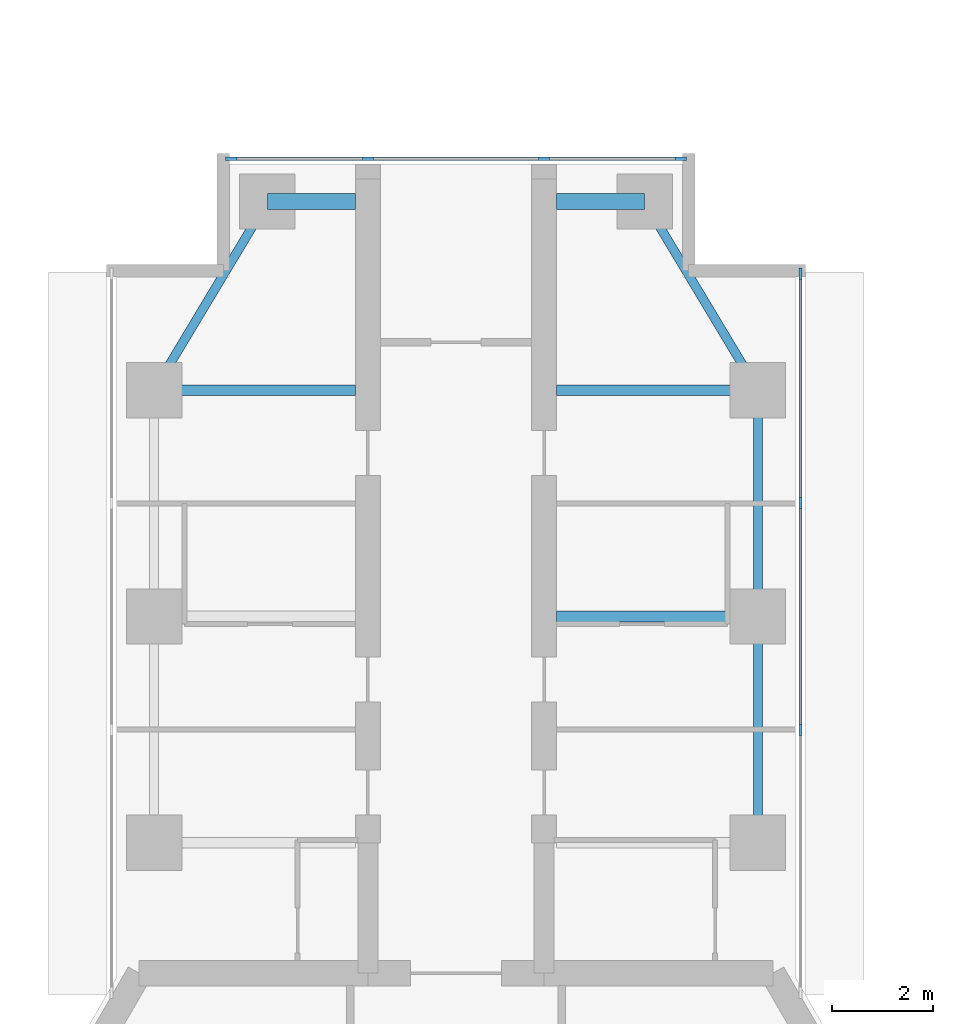
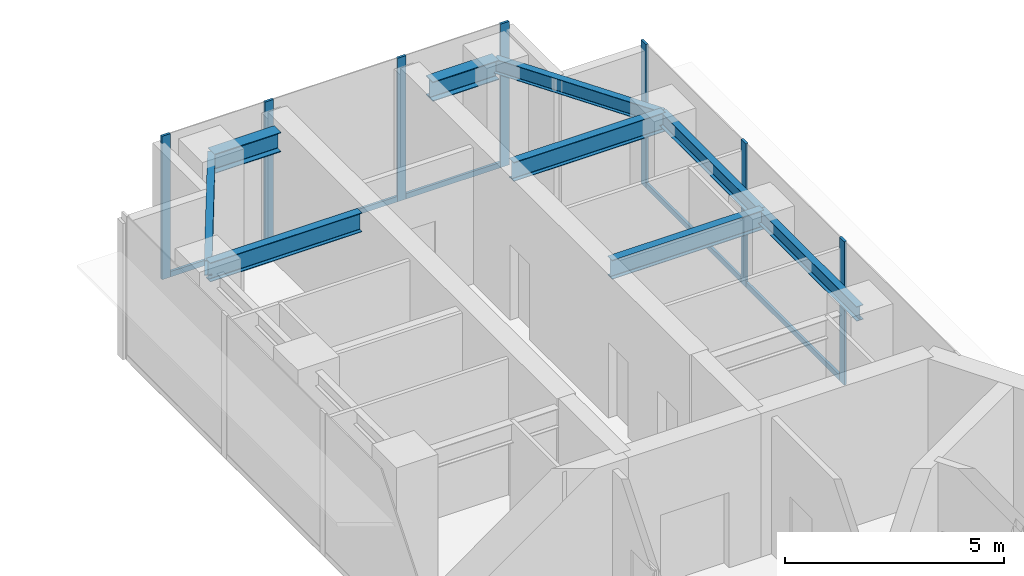
# One storey, part 9 of 17: 12 members, 9 beams, 2 elements without a shape of their own.
"""IFC4 building model written with IfcOpenShell, lengths in metres."""

from ifc_helpers import new_model, si_unit, direction, frame, origin, origin_2d, place, context, subcontext, project, spatial, rectangle, i_section, extrude, material, material_profile, profile_set, type_object, element, aggregate, save


model = new_model("IFC4")

# Units and contexts
model_context = context("Model", 3, precision=1e-05, world=origin(), true_north=direction((0.0, 1.0)))
body_context = subcontext(model_context, "Body", "Model", "MODEL_VIEW")
ifc_project = project(units=[si_unit("LENGTHUNIT", "METRE"), si_unit("AREAUNIT", "SQUARE_METRE"), si_unit("VOLUMEUNIT", "CUBIC_METRE"), si_unit("PLANEANGLEUNIT", "RADIAN"), si_unit("MASSUNIT", "GRAM", prefix="KILO")], contexts=[model_context])

# Site, building, storey
site_placement = place(None, origin())
site = spatial("IfcSite", under=ifc_project, at=site_placement, CompositionType="ELEMENT")
building_placement = place(site_placement, origin())
building = spatial("IfcBuilding", under=site, at=building_placement, Name="Upepo Twin Towers", CompositionType="ELEMENT")
storey_placement = place(building_placement, frame((0.0, 0.0, 230.5)))
storey = spatial("IfcBuildingStorey", under=building, at=storey_placement, Name="L56", CompositionType="ELEMENT", Elevation=230.5)

# Beams
ifc_material_1 = material(Name="Steel S355", Category="steel")
ifc_material_profile_1 = material_profile(ifc_material_1, i_section(OverallWidth=0.177978515625, OverallDepth=0.406494140625, WebThickness=0.0078125, FlangeThickness=0.0126953125, FilletRadius=0.01025390625, at=origin_2d()), Name="UB 406x178x60")
ifc_profile_set_1 = profile_set([ifc_material_profile_1], Name="Steel S355")
beam_type_1 = type_object("IfcBeamType", Name="Beam UB 406x178x60", PredefinedType="BEAM", material=ifc_profile_set_1)
beam_1_placement = place(storey_placement, frame((52.5, 4.5, 3.5966796875), z_axis=(0.514495755428, 0.857492925713, 0.0), x_axis=(-0.857492925713, 0.514495755428, 0.0)))
element("IfcBeam", 1, at=beam_1_placement, inside=storey, type_object=beam_type_1, Name="T2 nose edge beam AL", PredefinedType="BEAM", context=body_context, shape_type="SweptSolid", body=[
    extrude(i_section(OverallWidth=0.177978515625, OverallDepth=0.406494140625, WebThickness=0.0078125, FlangeThickness=0.0126953125, FilletRadius=0.01025390625, at=origin_2d()), origin(), (0.0, 0.0, 1.0), 4.373291015625),
])
for number, where, z_axis, x_axis, name in (
    (2, (64.5, -4.5, 3.5966796875), (0.0, 1.0, 0.0), (-1.0, 0.0, 0.0), "T2 edge beam AR 13.5-18.0"),
    (3, (64.5, 0.0, 3.5966796875), (0.0, 1.0, 0.0), (-1.0, 0.0, 0.0), "T2 edge beam AR 18.0-22.5"),
):
    element("IfcBeam", number, at=place(storey_placement, frame(where, z_axis=z_axis, x_axis=x_axis)), inside=storey, type_object=beam_type_1, Name=name, PredefinedType="BEAM", context=body_context, shape_type="SweptSolid", body=[
        extrude(i_section(OverallWidth=0.177978515625, OverallDepth=0.406494140625, WebThickness=0.0078125, FlangeThickness=0.0126953125, FilletRadius=0.01025390625, at=origin_2d()), origin(), (0.0, 0.0, 1.0), 4.5),
    ])
beam_2_placement = place(storey_placement, frame((64.5, 4.5, 3.5966796875), z_axis=(-0.514495755428, 0.857492925713, 0.0), x_axis=(-0.857492925713, -0.514495755428, 0.0)))
element("IfcBeam", 4, at=beam_2_placement, inside=storey, type_object=beam_type_1, Name="T2 nose edge beam AR", PredefinedType="BEAM", context=body_context, shape_type="SweptSolid", body=[
    extrude(i_section(OverallWidth=0.177978515625, OverallDepth=0.406494140625, WebThickness=0.0078125, FlangeThickness=0.0126953125, FilletRadius=0.01025390625, at=origin_2d()), origin(), (0.0, 0.0, 1.0), 4.373291015625),
])
ifc_material_2 = material(Name="Steel S355", Category="steel")
ifc_material_profile_2 = material_profile(ifc_material_2, i_section(OverallWidth=0.209228515625, OverallDepth=0.533203125, WebThickness=0.010009765625, FlangeThickness=0.015625, FilletRadius=0.0126953125, at=origin_2d()), Name="UB 533x210x92")
ifc_profile_set_2 = profile_set([ifc_material_profile_2], Name="Steel S355")
beam_type_2 = type_object("IfcBeamType", Name="Beam UB 533x210x92", PredefinedType="BEAM", material=ifc_profile_set_2)
for number, where, z_axis, x_axis, name in (
    (5, (52.5, 4.5, 3.533447265625), (1.0, 0.0, 0.0), (0.0, 1.0, 0.0), "T2 girder AL at 22.5"),
    (6, (64.5, 0.0, 3.533447265625), (-1.0, 0.0, 0.0), (0.0, -1.0, 0.0), "T2 girder AR at 18.0"),
    (7, (64.5, 4.5, 3.533447265625), (-1.0, 0.0, 0.0), (0.0, -1.0, 0.0), "T2 girder AR at 22.5"),
):
    element("IfcBeam", number, at=place(storey_placement, frame(where, z_axis=z_axis, x_axis=x_axis)), inside=storey, type_object=beam_type_2, Name=name, PredefinedType="BEAM", context=body_context, shape_type="SweptSolid", body=[
        extrude(i_section(OverallWidth=0.209228515625, OverallDepth=0.533203125, WebThickness=0.010009765625, FlangeThickness=0.015625, FilletRadius=0.0126953125, at=origin_2d()), origin(), (0.0, 0.0, 1.0), 4.0),
    ])
ifc_material_3 = material(Name="Steel S355", Category="steel")
ifc_material_profile_3 = material_profile(ifc_material_3, i_section(OverallWidth=0.31201171875, OverallDepth=0.54345703125, WebThickness=0.0126953125, FlangeThickness=0.020263671875, FilletRadius=0.0126953125, at=origin_2d()), Name="UB 533x312x150")
ifc_profile_set_3 = profile_set([ifc_material_profile_3], Name="Steel S355")
beam_type_3 = type_object("IfcBeamType", Name="Beam UB 533x312x150", PredefinedType="BEAM", material=ifc_profile_set_3)
for number, where, z_axis, x_axis, name in (
    (8, (54.75, 8.25, 3.5283203125), (1.0, 0.0, 0.0), (0.0, 1.0, 0.0), "T2 nose beam AL"),
    (9, (62.25, 8.25, 3.5283203125), (-1.0, 0.0, 0.0), (0.0, -1.0, 0.0), "T2 nose beam AR"),
):
    element("IfcBeam", number, at=place(storey_placement, frame(where, z_axis=z_axis, x_axis=x_axis)), inside=storey, type_object=beam_type_3, Name=name, PredefinedType="BEAM", context=body_context, shape_type="SweptSolid", body=[
        extrude(i_section(OverallWidth=0.31201171875, OverallDepth=0.54345703125, WebThickness=0.0126953125, FlangeThickness=0.020263671875, FilletRadius=0.0126953125, at=origin_2d()), origin(), (0.0, 0.0, 1.0), 1.75),
    ])

# Curtain wall, members
ifc_material_4 = material(Name="Aluminium and fritted glass", Category="aluminium")
curtain_wall_type = type_object("IfcCurtainWallType", Name="Tower curtain wall TW3, fritted glass", PredefinedType="NOTDEFINED", material=ifc_material_4)
curtain_wall_1_placement = place(storey_placement, origin())
curtain_wall_1 = element("IfcCurtainWall", 10, at=curtain_wall_1_placement, inside=storey, type_object=curtain_wall_type, Name="T2 L56 wing A flank R curtain wall", PredefinedType="NOTDEFINED")
ifc_material_5 = material(Name="Aluminium mullion", Category="aluminium")
ifc_material_profile_4 = material_profile(ifc_material_5, rectangle(XDim=0.06494140625, YDim=0.22509765625, at=origin_2d()), Name="MULLION 65x225")
ifc_profile_set_4 = profile_set([ifc_material_profile_4], Name="Aluminium mullion")
member_type_1 = type_object("IfcMemberType", Name="Mullion 65x225 TW3", PredefinedType="MULLION", material=ifc_profile_set_4)
member_1_placement = place(storey_placement, frame((65.35009765625, 6.8173828125, 0.0), z_axis=(0.0, 0.0, 1.0), x_axis=(1.0, 0.0, 0.0)))
member_1 = element("IfcMember", 11, at=member_1_placement, type_object=member_type_1, Name="T2 L56 wing A flank R curtain wall mullion 1", PredefinedType="MULLION", context=body_context, shape_type="SweptSolid", body=[
    extrude(rectangle(XDim=0.06494140625, YDim=0.22509765625, at=origin_2d()), origin(), (0.0, 0.0, 1.0), 4.0),
])
member_2_placement = place(storey_placement, frame((65.35009765625, 2.25, 0.0), z_axis=(0.0, 0.0, 1.0), x_axis=(1.0, 0.0, 0.0)))
member_2 = element("IfcMember", 12, at=member_2_placement, type_object=member_type_1, Name="T2 L56 wing A flank R curtain wall mullion 2", PredefinedType="MULLION", context=body_context, shape_type="SweptSolid", body=[
    extrude(rectangle(XDim=0.06494140625, YDim=0.22509765625, at=origin_2d()), origin(), (0.0, 0.0, 1.0), 4.0),
])
member_3_placement = place(storey_placement, frame((65.35009765625, -2.25, 0.0), z_axis=(0.0, 0.0, 1.0), x_axis=(1.0, 0.0, 0.0)))
member_3 = element("IfcMember", 13, at=member_3_placement, type_object=member_type_1, Name="T2 L56 wing A flank R curtain wall mullion 3", PredefinedType="MULLION", context=body_context, shape_type="SweptSolid", body=[
    extrude(rectangle(XDim=0.06494140625, YDim=0.22509765625, at=origin_2d()), origin(), (0.0, 0.0, 1.0), 4.0),
])

curtain_wall_2_placement = place(storey_placement, origin())
curtain_wall_2 = element("IfcCurtainWall", 14, at=curtain_wall_2_placement, inside=storey, type_object=curtain_wall_type, Name="T2 L56 wing A nose curtain wall", PredefinedType="NOTDEFINED")
member_4_placement = place(storey_placement, frame((62.967529296875, 9.10009765625, 0.0), z_axis=(0.0, 0.0, 1.0), x_axis=(0.0, -1.0, 0.0)))
member_4 = element("IfcMember", 15, at=member_4_placement, type_object=member_type_1, Name="T2 L56 wing A nose curtain wall mullion 1", PredefinedType="MULLION", context=body_context, shape_type="SweptSolid", body=[
    extrude(rectangle(XDim=0.06494140625, YDim=0.22509765625, at=origin_2d()), origin(), (0.0, 0.0, 1.0), 4.0),
])
member_5_placement = place(storey_placement, frame((60.25, 9.10009765625, 0.0), z_axis=(0.0, 0.0, 1.0), x_axis=(0.0, -1.0, 0.0)))
member_5 = element("IfcMember", 16, at=member_5_placement, type_object=member_type_1, Name="T2 L56 wing A nose curtain wall mullion 2", PredefinedType="MULLION", context=body_context, shape_type="SweptSolid", body=[
    extrude(rectangle(XDim=0.06494140625, YDim=0.22509765625, at=origin_2d()), origin(), (0.0, 0.0, 1.0), 4.0),
])
member_6_placement = place(storey_placement, frame((56.75, 9.10009765625, 0.0), z_axis=(0.0, 0.0, 1.0), x_axis=(0.0, -1.0, 0.0)))
member_6 = element("IfcMember", 17, at=member_6_placement, type_object=member_type_1, Name="T2 L56 wing A nose curtain wall mullion 3", PredefinedType="MULLION", context=body_context, shape_type="SweptSolid", body=[
    extrude(rectangle(XDim=0.06494140625, YDim=0.22509765625, at=origin_2d()), origin(), (0.0, 0.0, 1.0), 4.0),
])
member_7_placement = place(storey_placement, frame((54.032470703125, 9.10009765625, 0.0), z_axis=(0.0, 0.0, 1.0), x_axis=(0.0, -1.0, 0.0)))
member_7 = element("IfcMember", 18, at=member_7_placement, type_object=member_type_1, Name="T2 L56 wing A nose curtain wall mullion 4", PredefinedType="MULLION", context=body_context, shape_type="SweptSolid", body=[
    extrude(rectangle(XDim=0.06494140625, YDim=0.22509765625, at=origin_2d()), origin(), (0.0, 0.0, 1.0), 4.0),
])

# Member
ifc_material_6 = material(Name="Aluminium transom", Category="aluminium")
ifc_material_profile_5 = material_profile(ifc_material_6, rectangle(XDim=0.06494140625, YDim=0.14990234375, at=origin_2d()), Name="TRANSOM 65x150")
ifc_profile_set_5 = profile_set([ifc_material_profile_5], Name="Aluminium transom")
member_type_2 = type_object("IfcMemberType", Name="Transom 65x150 TW3", PredefinedType="USERDEFINED", material=ifc_profile_set_5)
member_8_placement = place(storey_placement, frame((65.35009765625, 6.784912109375, 0.074951171875), z_axis=(0.0, -1.0, 0.0), x_axis=(1.0, 0.0, 0.0)))
member_8 = element("IfcMember", 19, at=member_8_placement, type_object=member_type_2, Name="T2 L56 wing A flank R curtain wall transom 1", ObjectType="TRANSOM", PredefinedType="USERDEFINED", context=body_context, shape_type="SweptSolid", body=[
    extrude(rectangle(XDim=0.06494140625, YDim=0.14990234375, at=origin_2d()), origin(), (0.0, 0.0, 1.0), 4.50244140625),
])

member_9_placement = place(storey_placement, frame((65.35009765625, 2.217529296875, 0.074951171875), z_axis=(0.0, -1.0, 0.0), x_axis=(1.0, 0.0, 0.0)))
member_9 = element("IfcMember", 20, at=member_9_placement, type_object=member_type_2, Name="T2 L56 wing A flank R curtain wall transom 2", ObjectType="TRANSOM", PredefinedType="USERDEFINED", context=body_context, shape_type="SweptSolid", body=[
    extrude(rectangle(XDim=0.06494140625, YDim=0.14990234375, at=origin_2d()), origin(), (0.0, 0.0, 1.0), 4.43505859375),
])

aggregate(curtain_wall_1, [member_1, member_2, member_3, member_8, member_9])

member_10_placement = place(storey_placement, frame((62.93505859375, 9.10009765625, 0.074951171875), z_axis=(-1.0, 0.0, 0.0), x_axis=(0.0, -1.0, 0.0)))
member_10 = element("IfcMember", 21, at=member_10_placement, type_object=member_type_2, Name="T2 L56 wing A nose curtain wall transom 1", ObjectType="TRANSOM", PredefinedType="USERDEFINED", context=body_context, shape_type="SweptSolid", body=[
    extrude(rectangle(XDim=0.06494140625, YDim=0.14990234375, at=origin_2d()), origin(), (0.0, 0.0, 1.0), 2.652587890625),
])

member_11_placement = place(storey_placement, frame((60.217529296875, 9.10009765625, 0.074951171875), z_axis=(-1.0, 0.0, 0.0), x_axis=(0.0, -1.0, 0.0)))
member_11 = element("IfcMember", 22, at=member_11_placement, type_object=member_type_2, Name="T2 L56 wing A nose curtain wall transom 2", ObjectType="TRANSOM", PredefinedType="USERDEFINED", context=body_context, shape_type="SweptSolid", body=[
    extrude(rectangle(XDim=0.06494140625, YDim=0.14990234375, at=origin_2d()), origin(), (0.0, 0.0, 1.0), 3.43505859375),
])

member_12_placement = place(storey_placement, frame((56.717529296875, 9.10009765625, 0.074951171875), z_axis=(-1.0, 0.0, 0.0), x_axis=(0.0, -1.0, 0.0)))
member_12 = element("IfcMember", 23, at=member_12_placement, type_object=member_type_2, Name="T2 L56 wing A nose curtain wall transom 3", ObjectType="TRANSOM", PredefinedType="USERDEFINED", context=body_context, shape_type="SweptSolid", body=[
    extrude(rectangle(XDim=0.06494140625, YDim=0.14990234375, at=origin_2d()), origin(), (0.0, 0.0, 1.0), 2.652587890625),
])

aggregate(curtain_wall_2, [member_4, member_5, member_6, member_7, member_10, member_11, member_12])

save(model, "model.ifc")
